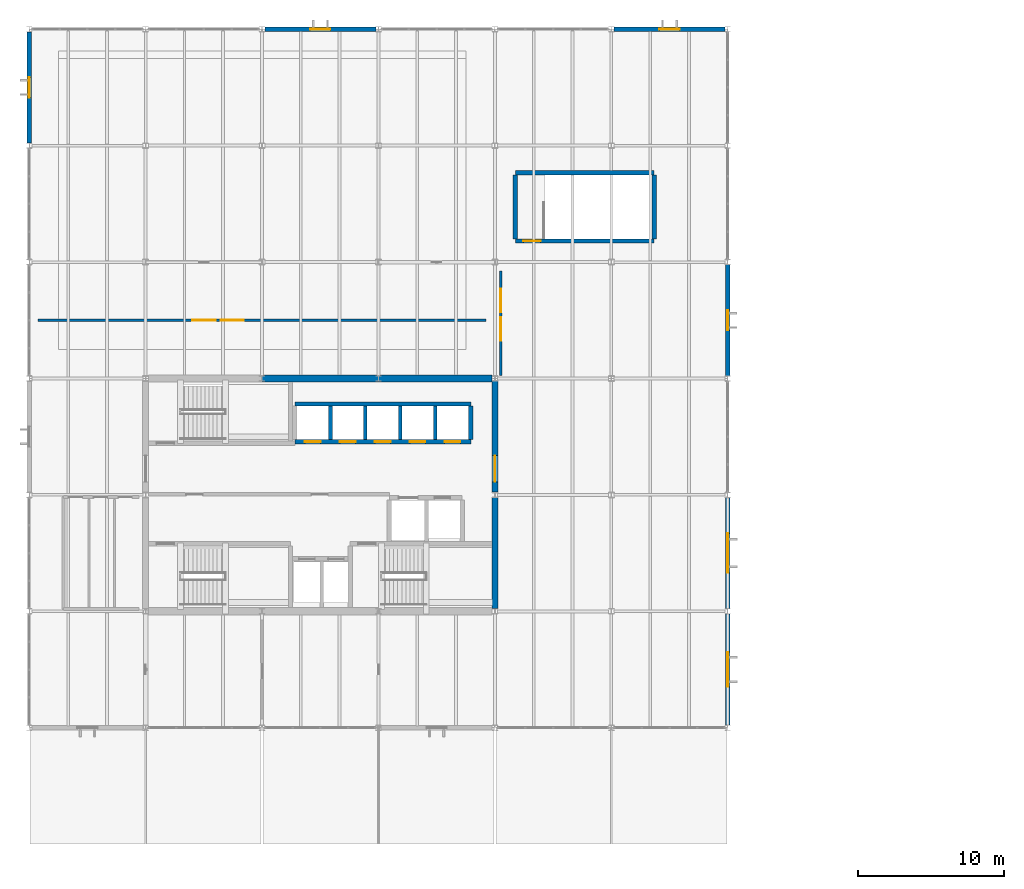
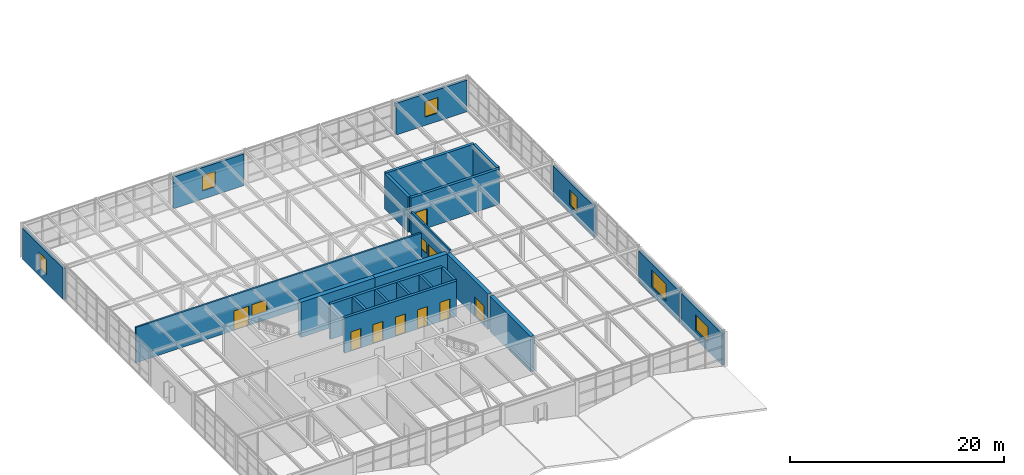
# One storey, part 28 of 34: 23 walls, 9 doors, 8 windows, 17 openings.
"""IFC4 building model written with IfcOpenShell, lengths in metres."""

from ifc_helpers import new_model, si_unit, direction, frame, frame_2d, origin, place, context, subcontext, project, spatial, rectangle, extrude, material, layer, layer_set, type_object, element, fill, save


model = new_model("IFC4")

# Units and contexts
model_context = context("Model", 3, precision=1e-05, world=origin(), true_north=direction((0.0, 1.0)))
body_context = subcontext(model_context, "Body", "Model", "MODEL_VIEW")
ifc_project = project(units=[si_unit("LENGTHUNIT", "METRE"), si_unit("AREAUNIT", "SQUARE_METRE"), si_unit("VOLUMEUNIT", "CUBIC_METRE"), si_unit("PLANEANGLEUNIT", "RADIAN"), si_unit("MASSUNIT", "GRAM", prefix="KILO")], contexts=[model_context])

# Site, building, storey
site_placement = place(None, origin())
site = spatial("IfcSite", under=ifc_project, at=site_placement, CompositionType="ELEMENT")
building_placement = place(site_placement, origin())
building = spatial("IfcBuilding", under=site, at=building_placement, Name="Varnela Railside Interchange", CompositionType="ELEMENT")
storey_placement = place(building_placement, frame((0.0, 0.0, 19.60009765625)))
storey = spatial("IfcBuildingStorey", under=building, at=storey_placement, Name="L04", CompositionType="ELEMENT", Elevation=19.60009765625)

# Wall, opening, window
ifc_material_1 = material(Name="Concrete C40 precast", Category="concrete")
ifc_layer_1 = layer(ifc_material_1, 0.320068359375)
ifc_layer_set_1 = layer_set([ifc_layer_1], Name="Concrete C40 precast")
wall_type_1 = type_object("IfcWallType", Name="Board-Formed Concrete Facade Wall EW-01", PredefinedType="STANDARD", material=ifc_layer_set_1)
wall_1_placement = place(storey_placement, frame((52.0, 61.820068359375, 0.0), z_axis=(0.0, 0.0, 1.0), x_axis=(0.0, -1.0, 0.0)))
wall_1 = element("IfcWall", 1, at=wall_1_placement, inside=storey, type_object=wall_type_1, Name="Board-Formed Concrete Facade Wall EW-01 (L04) (WL-0881)", PredefinedType="STANDARD", context=body_context, shape_type="SweptSolid", body=[
    extrude(rectangle(XDim=7.64013671875, YDim=0.320068359375, at=frame_2d((3.820068359375, 0.0))), origin(), (0.0, 0.0, 1.0), 3.559814453125),
])
opening_1_placement = place(wall_1_placement, frame((2.469970703125, 0.0, 0.949951171875)))
opening_1 = element("IfcOpeningElement", 2, at=opening_1_placement, cuts=wall_1, Name="Opening W-125", PredefinedType="OPENING", context=body_context, shape_type="SweptSolid", body=[
    extrude(rectangle(XDim=2.699951171875, YDim=1.949951171875, at=frame_2d((1.35009765625, 0.97509765625))), frame((0.0, 0.169921875, 0.0), z_axis=(0.0, -1.0, 0.0), x_axis=(1.0, 0.0, 0.0)), (0.0, 0.0, 1.0), 0.340087890625),
])
ifc_material_2 = material(Name="Glass laminated double", Category="glass")
window_type_1 = type_object("IfcWindowType", Name="Sign-On Hall Wide Window WN-19", PartitioningType="SINGLE_PANEL", PredefinedType="WINDOW", material=ifc_material_2)
window_1_placement = place(opening_1_placement, origin())
window_1 = element("IfcWindow", 3, at=window_1_placement, inside=storey, type_object=window_type_1, Name="Window W-125", OverallHeight=1.949951171875, OverallWidth=2.699951171875, PartitioningType="SINGLE_PANEL", PredefinedType="WINDOW", context=body_context, shape_type="SweptSolid", body=[
    extrude(rectangle(XDim=2.699951171875, YDim=1.949951171875, at=frame_2d((1.35009765625, 0.97509765625))), frame((0.0, 0.030029296875, 0.0), z_axis=(0.0, -1.0, 0.0), x_axis=(1.0, 0.0, 0.0)), (0.0, 0.0, 1.0), 0.06005859375),
])
fill(opening_1, window_1)

wall_2_placement = place(storey_placement, frame((52.0, 53.820068359375, 0.0), z_axis=(0.0, 0.0, 1.0), x_axis=(0.0, -1.0, 0.0)))
wall_2 = element("IfcWall", 4, at=wall_2_placement, inside=storey, type_object=wall_type_1, Name="Board-Formed Concrete Facade Wall EW-01 (L04) (WL-0882)", PredefinedType="STANDARD", context=body_context, shape_type="SweptSolid", body=[
    extrude(rectangle(XDim=7.64013671875, YDim=0.320068359375, at=frame_2d((3.820068359375, 0.0))), origin(), (0.0, 0.0, 1.0), 3.559814453125),
])
opening_2_placement = place(wall_2_placement, frame((2.6201171875, 0.0, 0.949951171875)))
opening_2 = element("IfcOpeningElement", 5, at=opening_2_placement, cuts=wall_2, Name="Opening W-126", PredefinedType="OPENING", context=body_context, shape_type="SweptSolid", body=[
    extrude(rectangle(XDim=2.39990234375, YDim=1.800048828125, at=frame_2d((1.199951171875, 0.89990234375))), frame((0.0, 0.169921875, 0.0), z_axis=(0.0, -1.0, 0.0), x_axis=(1.0, 0.0, 0.0)), (0.0, 0.0, 1.0), 0.340087890625),
])
window_type_2 = type_object("IfcWindowType", Name="Concourse Clerestory Window WN-01", PartitioningType="SINGLE_PANEL", PredefinedType="WINDOW", material=ifc_material_2)
window_2_placement = place(opening_2_placement, origin())
window_2 = element("IfcWindow", 6, at=window_2_placement, inside=storey, type_object=window_type_2, Name="Window W-126", OverallHeight=1.800048828125, OverallWidth=2.39990234375, PartitioningType="SINGLE_PANEL", PredefinedType="WINDOW", context=body_context, shape_type="SweptSolid", body=[
    extrude(rectangle(XDim=2.39990234375, YDim=1.800048828125, at=frame_2d((1.199951171875, 0.89990234375))), frame((0.0, 0.030029296875, 0.0), z_axis=(0.0, -1.0, 0.0), x_axis=(1.0, 0.0, 0.0)), (0.0, 0.0, 1.0), 0.06005859375),
])
fill(opening_2, window_2)

# Wall
ifc_material_3 = material(Name="Concrete C50", Category="concrete")
ifc_layer_2 = layer(ifc_material_3, 0.39990234375)
ifc_layer_set_2 = layer_set([ifc_layer_2], Name="Concrete C50")
wall_type_2 = type_object("IfcWallType", Name="Core Coupling Shear Wall SW-02", PredefinedType="SHEAR", material=ifc_layer_set_2)
wall_3_placement = place(storey_placement, frame((36.0, 54.18408203125, 0.0), z_axis=(0.0, 0.0, 1.0), x_axis=(0.0, 1.0, 0.0)))
element("IfcWall", 7, at=wall_3_placement, inside=storey, type_object=wall_type_2, Name="Core Coupling Shear Wall SW-02 (L04) (WL-0846)", PredefinedType="SHEAR", context=body_context, shape_type="SweptSolid", body=[
    extrude(rectangle(XDim=7.6318359375, YDim=0.39990234375, at=frame_2d((3.81591796875, 0.0))), origin(), (0.0, 0.0, 1.0), 4.02001953125),
])

# Wall, opening, door
wall_4_placement = place(storey_placement, frame((36.0, 62.18408203125, 0.0), z_axis=(0.0, 0.0, 1.0), x_axis=(0.0, 1.0, 0.0)))
wall_4 = element("IfcWall", 8, at=wall_4_placement, inside=storey, type_object=wall_type_2, Name="Core Coupling Shear Wall SW-02 (L04) (WL-0847)", PredefinedType="SHEAR", context=body_context, shape_type="SweptSolid", body=[
    extrude(rectangle(XDim=7.6318359375, YDim=0.39990234375, at=frame_2d((3.81591796875, 0.0))), origin(), (0.0, 0.0, 1.0), 4.02001953125),
])
opening_3_placement = place(wall_4_placement, frame((0.716064453125, 0.0, 0.0)))
opening_3 = element("IfcOpeningElement", 9, at=opening_3_placement, cuts=wall_4, Name="Opening D-264", PredefinedType="OPENING", context=body_context, shape_type="SweptSolid", body=[
    extrude(rectangle(XDim=1.800048828125, YDim=2.199951171875, at=frame_2d((0.89990234375, 1.10009765625))), frame((0.0, 0.2099609375, 0.0), z_axis=(0.0, -1.0, 0.0), x_axis=(1.0, 0.0, 0.0)), (0.0, 0.0, 1.0), 0.419921875),
])
ifc_material_4 = material(Name="Steel AR 350 (350 MPa)", Category="steel")
door_type_1 = type_object("IfcDoorType", Name="DR-DBL-1800-FD60", OperationType="DOUBLE_DOOR_SINGLE_SWING", PredefinedType="DOOR", material=ifc_material_4)
door_1_placement = place(opening_3_placement, origin())
door_1 = element("IfcDoor", 10, at=door_1_placement, inside=storey, type_object=door_type_1, Name="Door D-264", OperationType="DOUBLE_DOOR_SINGLE_SWING", OverallHeight=2.199951171875, OverallWidth=1.800048828125, PredefinedType="DOOR", context=body_context, shape_type="SweptSolid", body=[
    extrude(rectangle(XDim=1.800048828125, YDim=2.199951171875, at=frame_2d((0.89990234375, 1.10009765625))), frame((0.0, 0.02490234375, 0.0), z_axis=(0.0, -1.0, 0.0), x_axis=(1.0, 0.0, 0.0)), (0.0, 0.0, 1.0), 0.050048828125),
])
fill(opening_3, door_1)

# Walls
ifc_layer_3 = layer(ifc_material_3, 0.5)
ifc_layer_set_3 = layer_set([ifc_layer_3], Name="Concrete C50")
wall_type_3 = type_object("IfcWallType", Name="Core Primary Shear Wall SW-01", PredefinedType="SHEAR", material=ifc_layer_set_3)
wall_5_placement = place(storey_placement, frame((20.0, 70.0, 0.0), z_axis=(0.0, 0.0, 1.0), x_axis=(1.0, 0.0, 0.0)))
element("IfcWall", 11, at=wall_5_placement, inside=storey, type_object=wall_type_3, Name="Core Primary Shear Wall SW-01 (L04) (WL-0864)", PredefinedType="SHEAR", context=body_context, shape_type="SweptSolid", body=[
    extrude(rectangle(XDim=8.0, YDim=0.5, at=frame_2d((4.0, 0.0))), origin(), (0.0, 0.0, 1.0), 4.02001953125),
])
wall_6_placement = place(storey_placement, frame((28.0, 70.0, 0.0), z_axis=(0.0, 0.0, 1.0), x_axis=(1.0, 0.0, 0.0)))
element("IfcWall", 12, at=wall_6_placement, inside=storey, type_object=wall_type_3, Name="Core Primary Shear Wall SW-01 (L04) (WL-0865)", PredefinedType="SHEAR", context=body_context, shape_type="SweptSolid", body=[
    extrude(rectangle(XDim=7.8134765625, YDim=0.5, at=frame_2d((3.90673828125, 0.0))), origin(), (0.0, 0.0, 1.0), 4.02001953125),
])

# Wall, openings, door, window
ifc_material_5 = material(Name="Gypsum acoustic board")
ifc_layer_4 = layer(ifc_material_5, 0.179931640625)
ifc_layer_set_4 = layer_set([ifc_layer_4], Name="Gypsum acoustic board")
wall_type_4 = type_object("IfcWallType", Name="Double-Stud Corridor Wall IW-02", PredefinedType="PARTITIONING", material=ifc_layer_set_4)
wall_7_placement = place(storey_placement, frame((4.60009765625, 74.0, 0.0), z_axis=(0.0, 0.0, 1.0), x_axis=(1.0, 0.0, 0.0)))
wall_7 = element("IfcWall", 13, at=wall_7_placement, inside=storey, type_object=wall_type_4, Name="Double-Stud Corridor Wall IW-02 (L04) (WL-0907)", PredefinedType="PARTITIONING", context=body_context, shape_type="SweptSolid", body=[
    extrude(rectangle(XDim=30.7998046875, YDim=0.199951171875, at=frame_2d((15.39990234375, 0.0))), origin(), (0.0, 0.0, 1.0), 4.02001953125),
])
opening_4_placement = place(wall_7_placement, frame((10.60009765625, 0.0, 0.0)))
opening_4 = element("IfcOpeningElement", 14, at=opening_4_placement, cuts=wall_7, Name="Opening D-276", PredefinedType="OPENING", context=body_context, shape_type="SweptSolid", body=[
    extrude(rectangle(XDim=1.60009765625, YDim=2.199951171875, at=frame_2d((0.800048828125, 1.10009765625))), frame((0.0, 0.10986328125, 0.0), z_axis=(0.0, -1.0, 0.0), x_axis=(1.0, 0.0, 0.0)), (0.0, 0.0, 1.0), 0.219970703125),
])
opening_5_placement = place(wall_7_placement, frame((12.550048828125, 0.0, 0.949951171875)))
opening_5 = element("IfcOpeningElement", 15, at=opening_5_placement, cuts=wall_7, Name="Opening IW-019", PredefinedType="OPENING", context=body_context, shape_type="SweptSolid", body=[
    extrude(rectangle(XDim=1.60009765625, YDim=1.300048828125, at=frame_2d((0.800048828125, 0.64990234375))), frame((0.0, 0.10986328125, 0.0), z_axis=(0.0, -1.0, 0.0), x_axis=(1.0, 0.0, 0.0)), (0.0, 0.0, 1.0), 0.219970703125),
])
door_type_2 = type_object("IfcDoorType", Name="DR-DBL-1600", OperationType="DOUBLE_DOOR_SINGLE_SWING", PredefinedType="DOOR", material=ifc_material_2)
door_2_placement = place(opening_4_placement, origin())
door_2 = element("IfcDoor", 16, at=door_2_placement, inside=storey, type_object=door_type_2, Name="Door D-276", OperationType="DOUBLE_DOOR_SINGLE_SWING", OverallHeight=2.199951171875, OverallWidth=1.60009765625, PredefinedType="DOOR", context=body_context, shape_type="SweptSolid", body=[
    extrude(rectangle(XDim=1.60009765625, YDim=2.199951171875, at=frame_2d((0.800048828125, 1.10009765625))), frame((0.0, 0.02490234375, 0.0), z_axis=(0.0, -1.0, 0.0), x_axis=(1.0, 0.0, 0.0)), (0.0, 0.0, 1.0), 0.050048828125),
])
fill(opening_4, door_2)
window_type_3 = type_object("IfcWindowType", Name="Interior Acoustic Vision Window IW-WN1", PartitioningType="SINGLE_PANEL", PredefinedType="WINDOW", material=ifc_material_2)
window_3_placement = place(opening_5_placement, origin())
window_3 = element("IfcWindow", 17, at=window_3_placement, inside=storey, type_object=window_type_3, Name="Window IW-019", OverallHeight=1.300048828125, OverallWidth=1.60009765625, PartitioningType="SINGLE_PANEL", PredefinedType="WINDOW", context=body_context, shape_type="SweptSolid", body=[
    extrude(rectangle(XDim=1.60009765625, YDim=1.300048828125, at=frame_2d((0.800048828125, 0.64990234375))), frame((0.0, 0.030029296875, 0.0), z_axis=(0.0, -1.0, 0.0), x_axis=(1.0, 0.0, 0.0)), (0.0, 0.0, 1.0), 0.06005859375),
])
fill(opening_5, window_3)

wall_8_placement = place(storey_placement, frame((36.39990234375, 70.199951171875, 0.0), z_axis=(0.0, 0.0, 1.0), x_axis=(0.0, 1.0, 0.0)))
wall_8 = element("IfcWall", 18, at=wall_8_placement, inside=storey, type_object=wall_type_4, Name="Double-Stud Corridor Wall IW-02 (L04) (WL-0897)", PredefinedType="PARTITIONING", context=body_context, shape_type="SweptSolid", body=[
    extrude(rectangle(XDim=7.199951171875, YDim=0.179931640625, at=frame_2d((3.60009765625, 0.0))), origin(), (0.0, 0.0, 1.0), 4.02001953125),
])
opening_6_placement = place(wall_8_placement, frame((2.39990234375, 0.0, 0.0)))
opening_6 = element("IfcOpeningElement", 19, at=opening_6_placement, cuts=wall_8, Name="Opening D-277", PredefinedType="OPENING", context=body_context, shape_type="SweptSolid", body=[
    extrude(rectangle(XDim=1.60009765625, YDim=2.199951171875, at=frame_2d((0.800048828125, 1.10009765625))), frame((0.0, 0.099853515625, 0.0), z_axis=(0.0, -1.0, 0.0), x_axis=(1.0, 0.0, 0.0)), (0.0, 0.0, 1.0), 0.199951171875),
])
opening_7_placement = place(wall_8_placement, frame((4.35009765625, 0.0, 0.949951171875)))
opening_7 = element("IfcOpeningElement", 20, at=opening_7_placement, cuts=wall_8, Name="Opening IW-020", PredefinedType="OPENING", context=body_context, shape_type="SweptSolid", body=[
    extrude(rectangle(XDim=1.60009765625, YDim=1.300048828125, at=frame_2d((0.800048828125, 0.64990234375))), frame((0.0, 0.099853515625, 0.0), z_axis=(0.0, -1.0, 0.0), x_axis=(1.0, 0.0, 0.0)), (0.0, 0.0, 1.0), 0.199951171875),
])
door_3_placement = place(opening_6_placement, origin())
door_3 = element("IfcDoor", 21, at=door_3_placement, inside=storey, type_object=door_type_2, Name="Door D-277", OperationType="DOUBLE_DOOR_SINGLE_SWING", OverallHeight=2.199951171875, OverallWidth=1.60009765625, PredefinedType="DOOR", context=body_context, shape_type="SweptSolid", body=[
    extrude(rectangle(XDim=1.60009765625, YDim=2.199951171875, at=frame_2d((0.800048828125, 1.10009765625))), frame((0.0, 0.02490234375, 0.0), z_axis=(0.0, -1.0, 0.0), x_axis=(1.0, 0.0, 0.0)), (0.0, 0.0, 1.0), 0.050048828125),
])
fill(opening_6, door_3)
window_4_placement = place(opening_7_placement, origin())
window_4 = element("IfcWindow", 22, at=window_4_placement, inside=storey, type_object=window_type_3, Name="Window IW-020", OverallHeight=1.300048828125, OverallWidth=1.60009765625, PartitioningType="SINGLE_PANEL", PredefinedType="WINDOW", context=body_context, shape_type="SweptSolid", body=[
    extrude(rectangle(XDim=1.60009765625, YDim=1.300048828125, at=frame_2d((0.800048828125, 0.64990234375))), frame((0.0, 0.030029296875, 0.0), z_axis=(0.0, -1.0, 0.0), x_axis=(1.0, 0.0, 0.0)), (0.0, 0.0, 1.0), 0.06005859375),
])
fill(opening_7, window_4)

# Wall, opening, window
ifc_layer_5 = layer(ifc_material_1, 0.280029296875)
ifc_layer_set_5 = layer_set([ifc_layer_5], Name="Concrete C40 precast")
wall_type_5 = type_object("IfcWallType", Name="Ribbed Precast Concrete Facade Wall EW-02", PredefinedType="STANDARD", material=ifc_layer_set_5)
wall_9_placement = place(storey_placement, frame((4.0, 86.179931640625, 0.0), z_axis=(0.0, 0.0, 1.0), x_axis=(0.0, 1.0, 0.0)))
wall_9 = element("IfcWall", 23, at=wall_9_placement, inside=storey, type_object=wall_type_5, Name="Ribbed Precast Concrete Facade Wall EW-02 (L04) (WL-0877)", PredefinedType="STANDARD", context=body_context, shape_type="SweptSolid", body=[
    extrude(rectangle(XDim=7.64013671875, YDim=0.280029296875, at=frame_2d((3.820068359375, 0.0))), origin(), (0.0, 0.0, 1.0), 3.559814453125),
])
opening_8_placement = place(wall_9_placement, frame((3.1201171875, 0.0, 0.949951171875)))
opening_8 = element("IfcOpeningElement", 24, at=opening_8_placement, cuts=wall_9, Name="Opening W-121", PredefinedType="OPENING", context=body_context, shape_type="SweptSolid", body=[
    extrude(rectangle(XDim=1.39990234375, YDim=1.75, at=frame_2d((0.699951171875, 0.875))), frame((0.0, 0.14990234375, 0.0), z_axis=(0.0, -1.0, 0.0), x_axis=(1.0, 0.0, 0.0)), (0.0, 0.0, 1.0), 0.300048828125),
])
window_type_4 = type_object("IfcWindowType", Name="Simulator Acoustic Window WN-12", PartitioningType="SINGLE_PANEL", PredefinedType="WINDOW", material=ifc_material_2)
window_5_placement = place(opening_8_placement, origin())
window_5 = element("IfcWindow", 25, at=window_5_placement, inside=storey, type_object=window_type_4, Name="Window W-121", OverallHeight=1.75, OverallWidth=1.39990234375, PartitioningType="SINGLE_PANEL", PredefinedType="WINDOW", context=body_context, shape_type="SweptSolid", body=[
    extrude(rectangle(XDim=1.39990234375, YDim=1.75, at=frame_2d((0.699951171875, 0.875))), frame((0.0, 0.030029296875, 0.0), z_axis=(0.0, -1.0, 0.0), x_axis=(1.0, 0.0, 0.0)), (0.0, 0.0, 1.0), 0.06005859375),
])
fill(opening_8, window_5)

wall_10_placement = place(storey_placement, frame((20.18505859375, 94.0, 0.0), z_axis=(0.0, 0.0, 1.0), x_axis=(1.0, 0.0, 0.0)))
wall_10 = element("IfcWall", 26, at=wall_10_placement, inside=storey, type_object=wall_type_5, Name="Ribbed Precast Concrete Facade Wall EW-02 (L04) (WL-0878)", PredefinedType="STANDARD", context=body_context, shape_type="SweptSolid", body=[
    extrude(rectangle(XDim=7.6298828125, YDim=0.280029296875, at=frame_2d((3.81494140625, 0.0))), origin(), (0.0, 0.0, 1.0), 3.60986328125),
])
opening_9_placement = place(wall_10_placement, frame((3.114990234375, 0.0, 0.949951171875)))
opening_9 = element("IfcOpeningElement", 27, at=opening_9_placement, cuts=wall_10, Name="Opening W-122", PredefinedType="OPENING", context=body_context, shape_type="SweptSolid", body=[
    extrude(rectangle(XDim=1.39990234375, YDim=1.75, at=frame_2d((0.699951171875, 0.875))), frame((0.0, 0.14990234375, 0.0), z_axis=(0.0, -1.0, 0.0), x_axis=(1.0, 0.0, 0.0)), (0.0, 0.0, 1.0), 0.300048828125),
])
window_6_placement = place(opening_9_placement, origin())
window_6 = element("IfcWindow", 28, at=window_6_placement, inside=storey, type_object=window_type_4, Name="Window W-122", OverallHeight=1.75, OverallWidth=1.39990234375, PartitioningType="SINGLE_PANEL", PredefinedType="WINDOW", context=body_context, shape_type="SweptSolid", body=[
    extrude(rectangle(XDim=1.39990234375, YDim=1.75, at=frame_2d((0.699951171875, 0.875))), frame((0.0, 0.030029296875, 0.0), z_axis=(0.0, -1.0, 0.0), x_axis=(1.0, 0.0, 0.0)), (0.0, 0.0, 1.0), 0.06005859375),
])
fill(opening_9, window_6)

wall_11_placement = place(storey_placement, frame((44.18505859375, 94.0, 0.0), z_axis=(0.0, 0.0, 1.0), x_axis=(1.0, 0.0, 0.0)))
wall_11 = element("IfcWall", 29, at=wall_11_placement, inside=storey, type_object=wall_type_5, Name="Ribbed Precast Concrete Facade Wall EW-02 (L04) (WL-0879)", PredefinedType="STANDARD", context=body_context, shape_type="SweptSolid", body=[
    extrude(rectangle(XDim=7.6298828125, YDim=0.280029296875, at=frame_2d((3.81494140625, 0.0))), origin(), (0.0, 0.0, 1.0), 3.60986328125),
])
opening_10_placement = place(wall_11_placement, frame((3.114990234375, 0.0, 0.949951171875)))
opening_10 = element("IfcOpeningElement", 30, at=opening_10_placement, cuts=wall_11, Name="Opening W-123", PredefinedType="OPENING", context=body_context, shape_type="SweptSolid", body=[
    extrude(rectangle(XDim=1.39990234375, YDim=1.75, at=frame_2d((0.699951171875, 0.875))), frame((0.0, 0.14990234375, 0.0), z_axis=(0.0, -1.0, 0.0), x_axis=(1.0, 0.0, 0.0)), (0.0, 0.0, 1.0), 0.300048828125),
])
window_7_placement = place(opening_10_placement, origin())
window_7 = element("IfcWindow", 31, at=window_7_placement, inside=storey, type_object=window_type_4, Name="Window W-123", OverallHeight=1.75, OverallWidth=1.39990234375, PartitioningType="SINGLE_PANEL", PredefinedType="WINDOW", context=body_context, shape_type="SweptSolid", body=[
    extrude(rectangle(XDim=1.39990234375, YDim=1.75, at=frame_2d((0.699951171875, 0.875))), frame((0.0, 0.030029296875, 0.0), z_axis=(0.0, -1.0, 0.0), x_axis=(1.0, 0.0, 0.0)), (0.0, 0.0, 1.0), 0.06005859375),
])
fill(opening_10, window_7)

wall_12_placement = place(storey_placement, frame((52.0, 77.820068359375, 0.0), z_axis=(0.0, 0.0, 1.0), x_axis=(0.0, -1.0, 0.0)))
wall_12 = element("IfcWall", 32, at=wall_12_placement, inside=storey, type_object=wall_type_5, Name="Ribbed Precast Concrete Facade Wall EW-02 (L04) (WL-0880)", PredefinedType="STANDARD", context=body_context, shape_type="SweptSolid", body=[
    extrude(rectangle(XDim=7.64013671875, YDim=0.280029296875, at=frame_2d((3.820068359375, 0.0))), origin(), (0.0, 0.0, 1.0), 3.559814453125),
])
opening_11_placement = place(wall_12_placement, frame((3.1201171875, 0.0, 0.949951171875)))
opening_11 = element("IfcOpeningElement", 33, at=opening_11_placement, cuts=wall_12, Name="Opening W-124", PredefinedType="OPENING", context=body_context, shape_type="SweptSolid", body=[
    extrude(rectangle(XDim=1.39990234375, YDim=1.75, at=frame_2d((0.699951171875, 0.875))), frame((0.0, 0.14990234375, 0.0), z_axis=(0.0, -1.0, 0.0), x_axis=(1.0, 0.0, 0.0)), (0.0, 0.0, 1.0), 0.300048828125),
])
window_8_placement = place(opening_11_placement, origin())
window_8 = element("IfcWindow", 34, at=window_8_placement, inside=storey, type_object=window_type_4, Name="Window W-124", OverallHeight=1.75, OverallWidth=1.39990234375, PartitioningType="SINGLE_PANEL", PredefinedType="WINDOW", context=body_context, shape_type="SweptSolid", body=[
    extrude(rectangle(XDim=1.39990234375, YDim=1.75, at=frame_2d((0.699951171875, 0.875))), frame((0.0, 0.030029296875, 0.0), z_axis=(0.0, -1.0, 0.0), x_axis=(1.0, 0.0, 0.0)), (0.0, 0.0, 1.0), 0.06005859375),
])
fill(opening_11, window_8)

# Wall, openings, doors
ifc_layer_6 = layer(ifc_material_3, 0.300048828125)
ifc_layer_set_6 = layer_set([ifc_layer_6], Name="Concrete C50")
wall_type_6 = type_object("IfcWallType", Name="Stair & Lift Shaft Wall SW-03", PredefinedType="SHEAR", material=ifc_layer_set_6)
wall_13_placement = place(storey_placement, frame((22.25, 65.64990234375, 0.0), z_axis=(0.0, 0.0, 1.0), x_axis=(1.0, 0.0, 0.0)))
wall_13 = element("IfcWall", 35, at=wall_13_placement, inside=storey, type_object=wall_type_6, Name="Stair & Lift Shaft Wall SW-03 (L04) (WL-0861)", PredefinedType="SHEAR", context=body_context, shape_type="SweptSolid", body=[
    extrude(rectangle(XDim=12.10009765625, YDim=0.300048828125, at=frame_2d((6.050048828125, 0.0))), origin(), (0.0, 0.0, 1.0), 4.02001953125),
])
opening_12_placement = place(wall_13_placement, frame((0.699951171875, 0.0, 0.0)))
opening_12 = element("IfcOpeningElement", 36, at=opening_12_placement, cuts=wall_13, Name="Opening LD-069", PredefinedType="OPENING", context=body_context, shape_type="SweptSolid", body=[
    extrude(rectangle(XDim=1.080078125, YDim=2.199951171875, at=frame_2d((0.5400390625, 1.10009765625))), frame((0.0, 0.159912109375, 0.0), z_axis=(0.0, -1.0, 0.0), x_axis=(1.0, 0.0, 0.0)), (0.0, 0.0, 1.0), 0.320068359375),
])
opening_13_placement = place(wall_13_placement, frame((3.10009765625, 0.0, 0.0)))
opening_13 = element("IfcOpeningElement", 37, at=opening_13_placement, cuts=wall_13, Name="Opening LD-070", PredefinedType="OPENING", context=body_context, shape_type="SweptSolid", body=[
    extrude(rectangle(XDim=1.080078125, YDim=2.199951171875, at=frame_2d((0.5400390625, 1.10009765625))), frame((0.0, 0.159912109375, 0.0), z_axis=(0.0, -1.0, 0.0), x_axis=(1.0, 0.0, 0.0)), (0.0, 0.0, 1.0), 0.320068359375),
])
opening_14_placement = place(wall_13_placement, frame((5.5, 0.0, 0.0)))
opening_14 = element("IfcOpeningElement", 38, at=opening_14_placement, cuts=wall_13, Name="Opening LD-071", PredefinedType="OPENING", context=body_context, shape_type="SweptSolid", body=[
    extrude(rectangle(XDim=1.080078125, YDim=2.199951171875, at=frame_2d((0.5400390625, 1.10009765625))), frame((0.0, 0.159912109375, 0.0), z_axis=(0.0, -1.0, 0.0), x_axis=(1.0, 0.0, 0.0)), (0.0, 0.0, 1.0), 0.320068359375),
])
opening_15_placement = place(wall_13_placement, frame((7.89990234375, 0.0, 0.0)))
opening_15 = element("IfcOpeningElement", 39, at=opening_15_placement, cuts=wall_13, Name="Opening LD-072", PredefinedType="OPENING", context=body_context, shape_type="SweptSolid", body=[
    extrude(rectangle(XDim=1.080078125, YDim=2.199951171875, at=frame_2d((0.5400390625, 1.10009765625))), frame((0.0, 0.159912109375, 0.0), z_axis=(0.0, -1.0, 0.0), x_axis=(1.0, 0.0, 0.0)), (0.0, 0.0, 1.0), 0.320068359375),
])
opening_16_placement = place(wall_13_placement, frame((10.300048828125, 0.0, 0.0)))
opening_16 = element("IfcOpeningElement", 40, at=opening_16_placement, cuts=wall_13, Name="Opening LD-073", PredefinedType="OPENING", context=body_context, shape_type="SweptSolid", body=[
    extrude(rectangle(XDim=1.080078125, YDim=2.199951171875, at=frame_2d((0.5400390625, 1.10009765625))), frame((0.0, 0.159912109375, 0.0), z_axis=(0.0, -1.0, 0.0), x_axis=(1.0, 0.0, 0.0)), (0.0, 0.0, 1.0), 0.320068359375),
])
door_type_3 = type_object("IfcDoorType", Name="DR-LIFT-1080", OperationType="SLIDING_TO_LEFT", PredefinedType="DOOR", material=ifc_material_4)
door_4_placement = place(opening_12_placement, origin())
door_4 = element("IfcDoor", 41, at=door_4_placement, inside=storey, type_object=door_type_3, Name="Door LD-069", OperationType="SLIDING_TO_LEFT", OverallHeight=2.199951171875, OverallWidth=1.080078125, PredefinedType="DOOR", context=body_context, shape_type="SweptSolid", body=[
    extrude(rectangle(XDim=1.080078125, YDim=2.199951171875, at=frame_2d((0.5400390625, 1.10009765625))), frame((0.0, 0.02490234375, 0.0), z_axis=(0.0, -1.0, 0.0), x_axis=(1.0, 0.0, 0.0)), (0.0, 0.0, 1.0), 0.050048828125),
])
fill(opening_12, door_4)
door_5_placement = place(opening_13_placement, origin())
door_5 = element("IfcDoor", 42, at=door_5_placement, inside=storey, type_object=door_type_3, Name="Door LD-070", OperationType="SLIDING_TO_LEFT", OverallHeight=2.199951171875, OverallWidth=1.080078125, PredefinedType="DOOR", context=body_context, shape_type="SweptSolid", body=[
    extrude(rectangle(XDim=1.080078125, YDim=2.199951171875, at=frame_2d((0.5400390625, 1.10009765625))), frame((0.0, 0.02490234375, 0.0), z_axis=(0.0, -1.0, 0.0), x_axis=(1.0, 0.0, 0.0)), (0.0, 0.0, 1.0), 0.050048828125),
])
fill(opening_13, door_5)
door_6_placement = place(opening_14_placement, origin())
door_6 = element("IfcDoor", 43, at=door_6_placement, inside=storey, type_object=door_type_3, Name="Door LD-071", OperationType="SLIDING_TO_LEFT", OverallHeight=2.199951171875, OverallWidth=1.080078125, PredefinedType="DOOR", context=body_context, shape_type="SweptSolid", body=[
    extrude(rectangle(XDim=1.080078125, YDim=2.199951171875, at=frame_2d((0.5400390625, 1.10009765625))), frame((0.0, 0.02490234375, 0.0), z_axis=(0.0, -1.0, 0.0), x_axis=(1.0, 0.0, 0.0)), (0.0, 0.0, 1.0), 0.050048828125),
])
fill(opening_14, door_6)
door_7_placement = place(opening_15_placement, origin())
door_7 = element("IfcDoor", 44, at=door_7_placement, inside=storey, type_object=door_type_3, Name="Door LD-072", OperationType="SLIDING_TO_LEFT", OverallHeight=2.199951171875, OverallWidth=1.080078125, PredefinedType="DOOR", context=body_context, shape_type="SweptSolid", body=[
    extrude(rectangle(XDim=1.080078125, YDim=2.199951171875, at=frame_2d((0.5400390625, 1.10009765625))), frame((0.0, 0.02490234375, 0.0), z_axis=(0.0, -1.0, 0.0), x_axis=(1.0, 0.0, 0.0)), (0.0, 0.0, 1.0), 0.050048828125),
])
fill(opening_15, door_7)
door_8_placement = place(opening_16_placement, origin())
door_8 = element("IfcDoor", 45, at=door_8_placement, inside=storey, type_object=door_type_3, Name="Door LD-073", OperationType="SLIDING_TO_LEFT", OverallHeight=2.199951171875, OverallWidth=1.080078125, PredefinedType="DOOR", context=body_context, shape_type="SweptSolid", body=[
    extrude(rectangle(XDim=1.080078125, YDim=2.199951171875, at=frame_2d((0.5400390625, 1.10009765625))), frame((0.0, 0.02490234375, 0.0), z_axis=(0.0, -1.0, 0.0), x_axis=(1.0, 0.0, 0.0)), (0.0, 0.0, 1.0), 0.050048828125),
])
fill(opening_16, door_8)

# Walls
wall_14_placement = place(storey_placement, frame((22.25, 68.25, 0.0), z_axis=(0.0, 0.0, 1.0), x_axis=(1.0, 0.0, 0.0)))
element("IfcWall", 46, at=wall_14_placement, inside=storey, type_object=wall_type_6, Name="Stair & Lift Shaft Wall SW-03 (L04) (WL-0860)", PredefinedType="SHEAR", context=body_context, shape_type="SweptSolid", body=[
    extrude(rectangle(XDim=12.10009765625, YDim=0.300048828125, at=frame_2d((6.050048828125, 0.0))), origin(), (0.0, 0.0, 1.0), 4.02001953125),
])
wall_15_placement = place(storey_placement, frame((34.35009765625, 65.800048828125, 0.0), z_axis=(0.0, 0.0, 1.0), x_axis=(0.0, 1.0, 0.0)))
element("IfcWall", 47, at=wall_15_placement, inside=storey, type_object=wall_type_6, Name="Stair & Lift Shaft Wall SW-03 (L04) (WL-0859)", PredefinedType="SHEAR", context=body_context, shape_type="SweptSolid", body=[
    extrude(rectangle(XDim=2.300048828125, YDim=0.300048828125, at=frame_2d((1.14990234375, 0.0))), origin(), (0.0, 0.0, 1.0), 4.02001953125),
])
for number, where, z_axis, x_axis, name in (
    (48, (24.699951171875, 65.800048828125, 0.0), (0.0, 0.0, 1.0), (0.0, 1.0, 0.0), "Stair & Lift Shaft Wall SW-03 (L04) (WL-0855)"),
    (49, (27.10009765625, 65.800048828125, 0.0), (0.0, 0.0, 1.0), (0.0, 1.0, 0.0), "Stair & Lift Shaft Wall SW-03 (L04) (WL-0856)"),
    (50, (29.5, 65.800048828125, 0.0), (0.0, 0.0, 1.0), (0.0, 1.0, 0.0), "Stair & Lift Shaft Wall SW-03 (L04) (WL-0857)"),
    (51, (31.89990234375, 65.800048828125, 0.0), (0.0, 0.0, 1.0), (0.0, 1.0, 0.0), "Stair & Lift Shaft Wall SW-03 (L04) (WL-0858)"),
):
    element("IfcWall", number, at=place(storey_placement, frame(where, z_axis=z_axis, x_axis=x_axis)), inside=storey, type_object=wall_type_6, Name=name, PredefinedType="SHEAR", context=body_context, shape_type="SweptSolid", body=[
        extrude(rectangle(XDim=2.300048828125, YDim=0.25, at=frame_2d((1.14990234375, 0.0))), origin(), (0.0, 0.0, 1.0), 4.02001953125),
    ])
wall_16_placement = place(storey_placement, frame((37.39990234375, 84.14990234375, 0.0), z_axis=(0.0, 0.0, 1.0), x_axis=(1.0, 0.0, 0.0)))
element("IfcWall", 52, at=wall_16_placement, inside=storey, type_object=wall_type_6, Name="Stair & Lift Shaft Wall SW-03 (L04) (WL-0926)", PredefinedType="SHEAR", context=body_context, shape_type="SweptSolid", body=[
    extrude(rectangle(XDim=9.550048828125, YDim=0.300048828125, at=frame_2d((4.77490234375, 0.0))), origin(), (0.0, 0.0, 1.0), 4.02001953125),
])

# Wall, opening, door
wall_17_placement = place(storey_placement, frame((37.39990234375, 79.449951171875, 0.0), z_axis=(0.0, 0.0, 1.0), x_axis=(1.0, 0.0, 0.0)))
wall_17 = element("IfcWall", 53, at=wall_17_placement, inside=storey, type_object=wall_type_6, Name="Stair & Lift Shaft Wall SW-03 (L04) (WL-0927)", PredefinedType="SHEAR", context=body_context, shape_type="SweptSolid", body=[
    extrude(rectangle(XDim=9.550048828125, YDim=0.300048828125, at=frame_2d((4.77490234375, 0.0))), origin(), (0.0, 0.0, 1.0), 4.02001953125),
])
opening_17_placement = place(wall_17_placement, frame((0.550048828125, 0.0, 0.0)))
opening_17 = element("IfcOpeningElement", 54, at=opening_17_placement, cuts=wall_17, Name="Opening D-267", PredefinedType="OPENING", context=body_context, shape_type="SweptSolid", body=[
    extrude(rectangle(XDim=1.199951171875, YDim=2.199951171875, at=frame_2d((0.60009765625, 1.10009765625))), frame((0.0, 0.159912109375, 0.0), z_axis=(0.0, -1.0, 0.0), x_axis=(1.0, 0.0, 0.0)), (0.0, 0.0, 1.0), 0.320068359375),
])
door_type_4 = type_object("IfcDoorType", Name="DR-SGL-1200-FD90", OperationType="NOTDEFINED", PredefinedType="DOOR", material=ifc_material_4)
door_9_placement = place(opening_17_placement, origin())
door_9 = element("IfcDoor", 55, at=door_9_placement, inside=storey, type_object=door_type_4, Name="Door D-267", OperationType="SINGLE_SWING_RIGHT", OverallHeight=2.199951171875, OverallWidth=1.199951171875, PredefinedType="DOOR", context=body_context, shape_type="SweptSolid", body=[
    extrude(rectangle(XDim=1.199951171875, YDim=2.199951171875, at=frame_2d((0.60009765625, 1.10009765625))), frame((0.0, 0.02490234375, 0.0), z_axis=(0.0, -1.0, 0.0), x_axis=(1.0, 0.0, 0.0)), (0.0, 0.0, 1.0), 0.050048828125),
])
fill(opening_17, door_9)

# Walls
for number, where, z_axis, x_axis, name in (
    (56, (37.39990234375, 79.60009765625, 0.0), (0.0, 0.0, 1.0), (0.0, 1.0, 0.0), "Stair & Lift Shaft Wall SW-03 (L04) (WL-0928)"),
    (57, (46.949951171875, 79.60009765625, 0.0), (0.0, 0.0, 1.0), (0.0, 1.0, 0.0), "Stair & Lift Shaft Wall SW-03 (L04) (WL-0925)"),
):
    element("IfcWall", number, at=place(storey_placement, frame(where, z_axis=z_axis, x_axis=x_axis)), inside=storey, type_object=wall_type_6, Name=name, PredefinedType="SHEAR", context=body_context, shape_type="SweptSolid", body=[
        extrude(rectangle(XDim=4.39990234375, YDim=0.300048828125, at=frame_2d((2.199951171875, 0.0))), origin(), (0.0, 0.0, 1.0), 4.02001953125),
    ])

save(model, "model.ifc")
